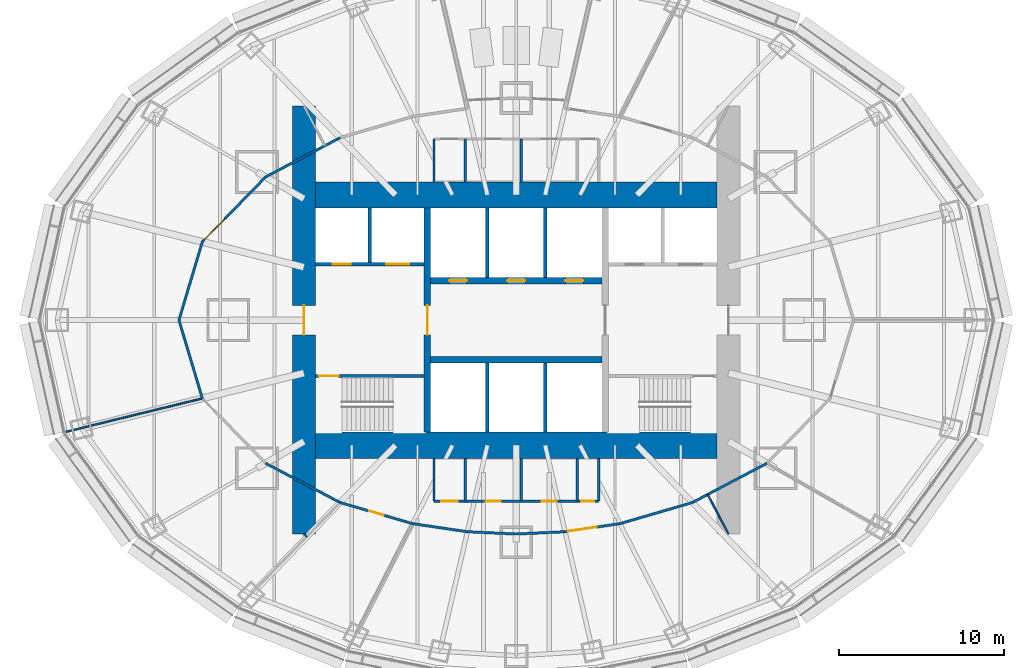
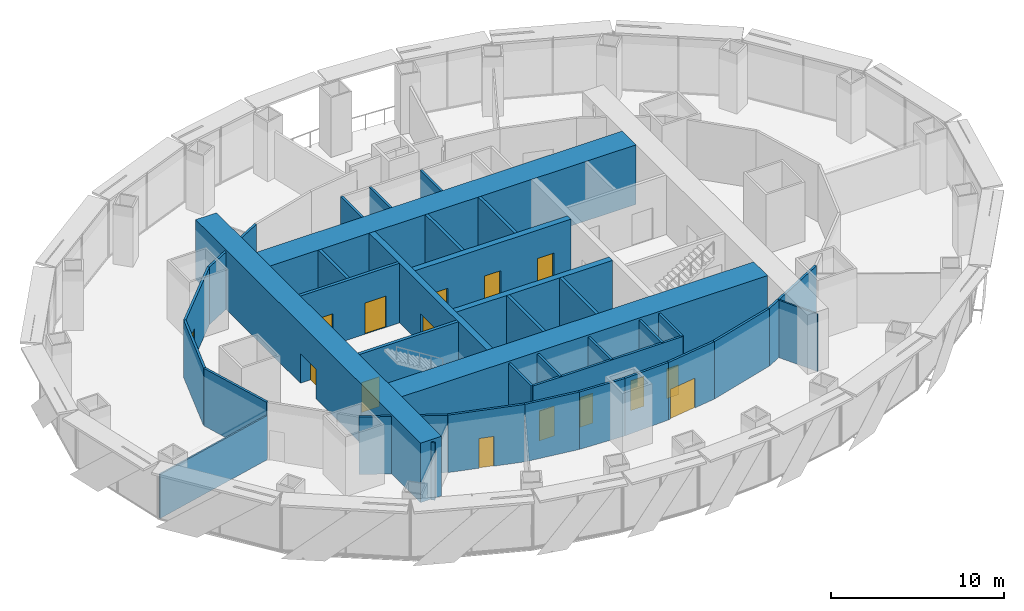
# One storey, part 11 of 17: 37 walls, 15 doors, 15 openings.
"""IFC4 building model written with IfcOpenShell, lengths in metres."""

from ifc_helpers import new_model, si_unit, direction, frame, frame_2d, origin, place, context, subcontext, project, spatial, rectangle, extrude, material, layer, layer_set, type_object, element, fill, save


model = new_model("IFC4")

# Units and contexts
model_context = context("Model", 3, precision=1e-05, world=origin(), true_north=direction((0.0, 1.0)))
body_context = subcontext(model_context, "Body", "Model", "MODEL_VIEW")
ifc_project = project(units=[si_unit("LENGTHUNIT", "METRE"), si_unit("AREAUNIT", "SQUARE_METRE"), si_unit("VOLUMEUNIT", "CUBIC_METRE"), si_unit("PLANEANGLEUNIT", "RADIAN"), si_unit("MASSUNIT", "GRAM", prefix="KILO")], contexts=[model_context])

# Site, building, storey
site_placement = place(None, origin())
site = spatial("IfcSite", under=ifc_project, at=site_placement, CompositionType="ELEMENT")
building_placement = place(site_placement, origin())
building = spatial("IfcBuilding", under=site, at=building_placement, Name="Lantaw Convention Tower", CompositionType="ELEMENT")
storey_placement = place(building_placement, frame((0.0, 0.0, 151.0)))
storey = spatial("IfcBuildingStorey", under=building, at=storey_placement, Name="L35", CompositionType="ELEMENT", Elevation=151.0)

# Wall, opening, door
ifc_material_1 = material(Name="Concrete C60/75", Category="concrete")
ifc_layer_1 = layer(ifc_material_1, 1.39990234375)
ifc_layer_set_1 = layer_set([ifc_layer_1], Name="Core wall 1400")
wall_type_1 = type_object("IfcWallType", Name="Core wall 1400", PredefinedType="SHEAR", material=ifc_layer_set_1)
wall_1_placement = place(storey_placement, frame((-12.89990234375, 13.0, 0.0), z_axis=(0.0, 0.0, 1.0), x_axis=(0.0, -1.0, 0.0)))
wall_1 = element("IfcWall", 1, at=wall_1_placement, inside=storey, type_object=wall_type_1, Name="Core wall W", PredefinedType="SHEAR", context=body_context, shape_type="SweptSolid", body=[
    extrude(rectangle(XDim=26.0, YDim=1.39990234375, at=frame_2d((13.0, 0.0))), origin(), (0.0, 0.0, 1.0), 4.199951171875),
])
opening_1_placement = place(wall_1_placement, frame((12.10009765625, 0.0, 0.0)))
opening_1 = element("IfcOpeningElement", 2, at=opening_1_placement, cuts=wall_1, Name="Opening L35.06", PredefinedType="OPENING", context=body_context, shape_type="SweptSolid", body=[
    extrude(rectangle(XDim=1.800048828125, YDim=2.10009765625, at=frame_2d((0.89990234375, 1.050048828125))), frame((0.0, 0.7099609375, 0.0), z_axis=(0.0, -1.0, 0.0), x_axis=(1.0, 0.0, 0.0)), (0.0, 0.0, 1.0), 1.419921875),
])
ifc_material_2 = material(Name="Steel, fire rated", Category="steel")
door_type_1 = type_object("IfcDoorType", Name="Lobby double door FD90", OperationType="DOUBLE_DOOR_DOUBLE_SWING", PredefinedType="DOOR", material=ifc_material_2)
door_1_placement = place(opening_1_placement, origin())
door_1 = element("IfcDoor", 3, at=door_1_placement, inside=storey, type_object=door_type_1, Name="Firefighting lobby door", OperationType="DOUBLE_DOOR_DOUBLE_SWING", OverallHeight=2.10009765625, OverallWidth=1.800048828125, PredefinedType="DOOR", context=body_context, shape_type="SweptSolid", body=[
    extrude(rectangle(XDim=1.800048828125, YDim=2.10009765625, at=frame_2d((0.89990234375, 1.050048828125))), frame((0.0, 0.02490234375, 0.0), z_axis=(0.0, -1.0, 0.0), x_axis=(1.0, 0.0, 0.0)), (0.0, 0.0, 1.0), 0.050048828125),
])
fill(opening_1, door_1)

# Walls
ifc_layer_2 = layer(ifc_material_1, 1.60009765625)
ifc_layer_set_2 = layer_set([ifc_layer_2], Name="Core wall 1600")
wall_type_2 = type_object("IfcWallType", Name="Core wall 1600", PredefinedType="SHEAR", material=ifc_layer_set_2)
for number, where, z_axis, x_axis, name in (
    (4, (-12.199951171875, -7.60009765625, 0.0), (0.0, 0.0, 1.0), (1.0, 0.0, 0.0), "Core wall S"),
    (5, (12.199951171875, 7.60009765625, 0.0), (0.0, 0.0, 1.0), (-1.0, 0.0, 0.0), "Core wall N"),
):
    element("IfcWall", number, at=place(storey_placement, frame(where, z_axis=z_axis, x_axis=x_axis)), inside=storey, type_object=wall_type_2, Name=name, PredefinedType="SHEAR", context=body_context, shape_type="SweptSolid", body=[
        extrude(rectangle(XDim=24.39990234375, YDim=1.60009765625, at=frame_2d((12.199951171875, 0.0))), origin(), (0.0, 0.0, 1.0), 4.199951171875),
    ])

# Wall, opening, door
ifc_layer_3 = layer(ifc_material_1, 0.199951171875)
ifc_layer_set_3 = layer_set([ifc_layer_3], Name="Core wall 200")
wall_type_3 = type_object("IfcWallType", Name="Core wall 200", PredefinedType="SHEAR", material=ifc_layer_set_3)
wall_2_placement = place(storey_placement, frame((-5.60009765625, -3.39990234375, 0.0), z_axis=(0.0, 0.0, 1.0), x_axis=(-1.0, 0.0, 0.0)))
wall_2 = element("IfcWall", 6, at=wall_2_placement, inside=storey, type_object=wall_type_3, Name="Core wall WS", PredefinedType="SHEAR", context=body_context, shape_type="SweptSolid", body=[
    extrude(rectangle(XDim=6.599853515625, YDim=0.199951171875, at=frame_2d((3.2998046875, 0.0))), origin(), (0.0, 0.0, 1.0), 4.199951171875),
])
opening_2_placement = place(wall_2_placement, frame((5.199951171875, 0.0, 0.0)))
opening_2 = element("IfcOpeningElement", 7, at=opening_2_placement, cuts=wall_2, Name="Opening L35.04", PredefinedType="OPENING", context=body_context, shape_type="SweptSolid", body=[
    extrude(rectangle(XDim=1.199951171875, YDim=2.10009765625, at=frame_2d((0.60009765625, 1.050048828125))), frame((0.0, 0.10986328125, 0.0), z_axis=(0.0, -1.0, 0.0), x_axis=(1.0, 0.0, 0.0)), (0.0, 0.0, 1.0), 0.219970703125),
])
door_type_2 = type_object("IfcDoorType", Name="Stair door FD90", OperationType="SINGLE_SWING_RIGHT", PredefinedType="DOOR", material=ifc_material_2)
door_2_placement = place(opening_2_placement, origin())
door_2 = element("IfcDoor", 8, at=door_2_placement, inside=storey, type_object=door_type_2, Name="Exit stair door", OperationType="SINGLE_SWING_RIGHT", OverallHeight=2.10009765625, OverallWidth=1.199951171875, PredefinedType="DOOR", context=body_context, shape_type="SweptSolid", body=[
    extrude(rectangle(XDim=1.199951171875, YDim=2.10009765625, at=frame_2d((0.60009765625, 1.050048828125))), frame((0.0, 0.02490234375, 0.0), z_axis=(0.0, -1.0, 0.0), x_axis=(1.0, 0.0, 0.0)), (0.0, 0.0, 1.0), 0.050048828125),
])
fill(opening_2, door_2)

ifc_layer_4 = layer(ifc_material_1, 0.39990234375)
ifc_layer_set_4 = layer_set([ifc_layer_4], Name="Core wall 400")
wall_type_4 = type_object("IfcWallType", Name="Core wall 400", PredefinedType="SHEAR", material=ifc_layer_set_4)
wall_3_placement = place(storey_placement, frame((-5.39990234375, 6.800048828125, 0.0), z_axis=(0.0, 0.0, 1.0), x_axis=(0.0, -1.0, 0.0)))
wall_3 = element("IfcWall", 9, at=wall_3_placement, inside=storey, type_object=wall_type_4, Name="Core wall XW", PredefinedType="SHEAR", context=body_context, shape_type="SweptSolid", body=[
    extrude(rectangle(XDim=13.60009765625, YDim=0.39990234375, at=frame_2d((6.800048828125, 0.0))), origin(), (0.0, 0.0, 1.0), 4.199951171875),
])
opening_3_placement = place(wall_3_placement, frame((5.89990234375, 0.0, 0.0)))
opening_3 = element("IfcOpeningElement", 10, at=opening_3_placement, cuts=wall_3, Name="Opening L35.02", PredefinedType="OPENING", context=body_context, shape_type="SweptSolid", body=[
    extrude(rectangle(XDim=1.800048828125, YDim=2.10009765625, at=frame_2d((0.89990234375, 1.050048828125))), frame((0.0, 0.2099609375, 0.0), z_axis=(0.0, -1.0, 0.0), x_axis=(1.0, 0.0, 0.0)), (0.0, 0.0, 1.0), 0.419921875),
])
door_3_placement = place(opening_3_placement, origin())
door_3 = element("IfcDoor", 11, at=door_3_placement, inside=storey, type_object=door_type_1, Name="Lift lobby door", OperationType="DOUBLE_DOOR_DOUBLE_SWING", OverallHeight=2.10009765625, OverallWidth=1.800048828125, PredefinedType="DOOR", context=body_context, shape_type="SweptSolid", body=[
    extrude(rectangle(XDim=1.800048828125, YDim=2.10009765625, at=frame_2d((0.89990234375, 1.050048828125))), frame((0.0, 0.02490234375, 0.0), z_axis=(0.0, -1.0, 0.0), x_axis=(1.0, 0.0, 0.0)), (0.0, 0.0, 1.0), 0.050048828125),
])
fill(opening_3, door_3)

# Wall
wall_4_placement = place(storey_placement, frame((-5.199951171875, -2.39990234375, 0.0), z_axis=(0.0, 0.0, 1.0), x_axis=(1.0, 0.0, 0.0)))
element("IfcWall", 12, at=wall_4_placement, inside=storey, type_object=wall_type_4, Name="Core wall BS", PredefinedType="SHEAR", context=body_context, shape_type="SweptSolid", body=[
    extrude(rectangle(XDim=10.39990234375, YDim=0.39990234375, at=frame_2d((5.199951171875, 0.0))), origin(), (0.0, 0.0, 1.0), 4.199951171875),
])

# Wall, openings, doors
wall_5_placement = place(storey_placement, frame((5.199951171875, 2.39990234375, 0.0), z_axis=(0.0, 0.0, 1.0), x_axis=(-1.0, 0.0, 0.0)))
wall_5 = element("IfcWall", 13, at=wall_5_placement, inside=storey, type_object=wall_type_4, Name="Core wall BN", PredefinedType="SHEAR", context=body_context, shape_type="SweptSolid", body=[
    extrude(rectangle(XDim=10.39990234375, YDim=0.39990234375, at=frame_2d((5.199951171875, 0.0))), origin(), (0.0, 0.0, 1.0), 4.199951171875),
])
opening_4_placement = place(wall_5_placement, frame((8.183349609375, 0.0, 0.0)))
opening_4 = element("IfcOpeningElement", 14, at=opening_4_placement, cuts=wall_5, Name="Opening L35.07", PredefinedType="OPENING", context=body_context, shape_type="SweptSolid", body=[
    extrude(rectangle(XDim=1.10009765625, YDim=2.199951171875, at=frame_2d((0.550048828125, 1.10009765625))), frame((0.0, 0.2099609375, 0.0), z_axis=(0.0, -1.0, 0.0), x_axis=(1.0, 0.0, 0.0)), (0.0, 0.0, 1.0), 0.419921875),
])
opening_5_placement = place(wall_5_placement, frame((4.64990234375, 0.0, 0.0)))
opening_5 = element("IfcOpeningElement", 15, at=opening_5_placement, cuts=wall_5, Name="Opening L35.08", PredefinedType="OPENING", context=body_context, shape_type="SweptSolid", body=[
    extrude(rectangle(XDim=1.10009765625, YDim=2.199951171875, at=frame_2d((0.550048828125, 1.10009765625))), frame((0.0, 0.2099609375, 0.0), z_axis=(0.0, -1.0, 0.0), x_axis=(1.0, 0.0, 0.0)), (0.0, 0.0, 1.0), 0.419921875),
])
opening_6_placement = place(wall_5_placement, frame((1.11669921875, 0.0, 0.0)))
opening_6 = element("IfcOpeningElement", 16, at=opening_6_placement, cuts=wall_5, Name="Opening L35.09", PredefinedType="OPENING", context=body_context, shape_type="SweptSolid", body=[
    extrude(rectangle(XDim=1.10009765625, YDim=2.199951171875, at=frame_2d((0.550048828125, 1.10009765625))), frame((0.0, 0.2099609375, 0.0), z_axis=(0.0, -1.0, 0.0), x_axis=(1.0, 0.0, 0.0)), (0.0, 0.0, 1.0), 0.419921875),
])
ifc_material_3 = material(Name="Stainless steel", Category="steel")
door_type_3 = type_object("IfcDoorType", Name="Lift landing door 1100", OperationType="DOUBLE_DOOR_SLIDING", PredefinedType="DOOR", material=ifc_material_3)
door_4_placement = place(opening_4_placement, origin())
door_4 = element("IfcDoor", 17, at=door_4_placement, inside=storey, type_object=door_type_3, Name="Lift landing door N1", OperationType="DOUBLE_DOOR_SLIDING", OverallHeight=2.199951171875, OverallWidth=1.10009765625, PredefinedType="DOOR", context=body_context, shape_type="SweptSolid", body=[
    extrude(rectangle(XDim=1.10009765625, YDim=2.199951171875, at=frame_2d((0.550048828125, 1.10009765625))), frame((0.0, 0.02490234375, 0.0), z_axis=(0.0, -1.0, 0.0), x_axis=(1.0, 0.0, 0.0)), (0.0, 0.0, 1.0), 0.050048828125),
])
fill(opening_4, door_4)
door_5_placement = place(opening_5_placement, origin())
door_5 = element("IfcDoor", 18, at=door_5_placement, inside=storey, type_object=door_type_3, Name="Lift landing door N2", OperationType="DOUBLE_DOOR_SLIDING", OverallHeight=2.199951171875, OverallWidth=1.10009765625, PredefinedType="DOOR", context=body_context, shape_type="SweptSolid", body=[
    extrude(rectangle(XDim=1.10009765625, YDim=2.199951171875, at=frame_2d((0.550048828125, 1.10009765625))), frame((0.0, 0.02490234375, 0.0), z_axis=(0.0, -1.0, 0.0), x_axis=(1.0, 0.0, 0.0)), (0.0, 0.0, 1.0), 0.050048828125),
])
fill(opening_5, door_5)
door_6_placement = place(opening_6_placement, origin())
door_6 = element("IfcDoor", 19, at=door_6_placement, inside=storey, type_object=door_type_3, Name="Lift landing door N3", OperationType="DOUBLE_DOOR_SLIDING", OverallHeight=2.199951171875, OverallWidth=1.10009765625, PredefinedType="DOOR", context=body_context, shape_type="SweptSolid", body=[
    extrude(rectangle(XDim=1.10009765625, YDim=2.199951171875, at=frame_2d((0.550048828125, 1.10009765625))), frame((0.0, 0.02490234375, 0.0), z_axis=(0.0, -1.0, 0.0), x_axis=(1.0, 0.0, 0.0)), (0.0, 0.0, 1.0), 0.050048828125),
])
fill(opening_6, door_6)

# Wall
ifc_material_4 = material(Name="Gypsum board on steel studs, fire rated", Category="steel")
ifc_layer_5 = layer(ifc_material_4, 0.14990234375)
ifc_layer_set_5 = layer_set([ifc_layer_5], Name="Corridor wall 150 EI 60")
wall_type_5 = type_object("IfcWallType", Name="Corridor wall 150 EI 60", PredefinedType="PARTITIONING", material=ifc_layer_set_5)
wall_6_placement = place(storey_placement, frame((-10.7060546875, 11.08642578125, 0.0), z_axis=(0.0, 0.0, 1.0), x_axis=(-0.884643590306, -0.466267860924, 0.0)))
element("IfcWall", 20, at=wall_6_placement, inside=storey, type_object=wall_type_5, Name="Corridor wall 150", PredefinedType="PARTITIONING", context=body_context, shape_type="SweptSolid", body=[
    extrude(rectangle(XDim=5.113037109375, YDim=0.14990234375, at=frame_2d((2.556640625, 0.0))), origin(), (0.0, 0.0, 1.0), 4.050048828125),
])

# Wall, opening, door
wall_7_placement = place(storey_placement, frame((-15.229248046875, 8.702392578125, 0.0), z_axis=(0.0, 0.0, 1.0), x_axis=(-0.698305033542, -0.715800307439, 0.0)))
wall_7 = element("IfcWall", 21, at=wall_7_placement, inside=storey, type_object=wall_type_5, Name="Corridor wall 150", PredefinedType="PARTITIONING", context=body_context, shape_type="SweptSolid", body=[
    extrude(rectangle(XDim=5.51220703125, YDim=0.14990234375, at=frame_2d((2.756103515625, 0.0))), origin(), (0.0, 0.0, 1.0), 4.050048828125),
])
opening_7_placement = place(wall_7_placement, frame((3.562255859375, 0.0, 0.0)))
opening_7 = element("IfcOpeningElement", 22, at=opening_7_placement, cuts=wall_7, Name="Opening L35.22", PredefinedType="OPENING", context=body_context, shape_type="SweptSolid", body=[
    extrude(rectangle(XDim=1.800048828125, YDim=2.10009765625, at=frame_2d((0.89990234375, 1.050048828125))), frame((0.0, 0.0849609375, 0.0), z_axis=(0.0, -1.0, 0.0), x_axis=(1.0, 0.0, 0.0)), (0.0, 0.0, 1.0), 0.169921875),
])
door_type_4 = type_object("IfcDoorType", Name="Office double door 1800 FD30", OperationType="DOUBLE_DOOR_DOUBLE_SWING", PredefinedType="DOOR", material=ifc_material_2)
door_7_placement = place(opening_7_placement, origin())
door_7 = element("IfcDoor", 23, at=door_7_placement, inside=storey, type_object=door_type_4, Name="Co-working studio door", OperationType="DOUBLE_DOOR_DOUBLE_SWING", OverallHeight=2.10009765625, OverallWidth=1.800048828125, PredefinedType="DOOR", context=body_context, shape_type="SweptSolid", body=[
    extrude(rectangle(XDim=1.800048828125, YDim=2.10009765625, at=frame_2d((0.89990234375, 1.050048828125))), frame((0.0, 0.02490234375, 0.0), z_axis=(0.0, -1.0, 0.0), x_axis=(1.0, 0.0, 0.0)), (0.0, 0.0, 1.0), 0.050048828125),
])
fill(opening_7, door_7)

# Walls
for number, where, z_axis, x_axis, name in (
    (24, (-19.078369140625, 4.7568359375, 0.0), (0.0, 0.0, 1.0), (-0.286346182056, -0.958126225516, 0.0), "Corridor wall 150"),
    (25, (-20.5, 0.0, 0.0), (0.0, 0.0, 1.0), (0.286346182056, -0.958126225516, 0.0), "Corridor wall 150"),
):
    element("IfcWall", number, at=place(storey_placement, frame(where, z_axis=z_axis, x_axis=x_axis)), inside=storey, type_object=wall_type_5, Name=name, PredefinedType="PARTITIONING", context=body_context, shape_type="SweptSolid", body=[
        extrude(rectangle(XDim=4.96484375, YDim=0.14990234375, at=frame_2d((2.482421875, 0.0))), origin(), (0.0, 0.0, 1.0), 4.050048828125),
    ])
wall_8_placement = place(storey_placement, frame((-15.229248046875, -8.702392578125, 0.0), z_axis=(0.0, 0.0, 1.0), x_axis=(0.884643590306, -0.466267860924, 0.0)))
element("IfcWall", 26, at=wall_8_placement, inside=storey, type_object=wall_type_5, Name="Corridor wall 150", PredefinedType="PARTITIONING", context=body_context, shape_type="SweptSolid", body=[
    extrude(rectangle(XDim=5.113037109375, YDim=0.14990234375, at=frame_2d((2.556640625, 0.0))), origin(), (0.0, 0.0, 1.0), 4.050048828125),
])

# Wall, opening, door
wall_9_placement = place(storey_placement, frame((-10.7060546875, -11.08642578125, 0.0), z_axis=(0.0, 0.0, 1.0), x_axis=(0.96001728753, -0.279940721659, 0.0)))
wall_9 = element("IfcWall", 27, at=wall_9_placement, inside=storey, type_object=wall_type_5, Name="Corridor wall 150", PredefinedType="PARTITIONING", context=body_context, shape_type="SweptSolid", body=[
    extrude(rectangle(XDim=4.58642578125, YDim=0.14990234375, at=frame_2d((2.293212890625, 0.0))), origin(), (0.0, 0.0, 1.0), 4.050048828125),
])
opening_8_placement = place(wall_9_placement, frame((1.84326171875, 0.0, 0.0)))
opening_8 = element("IfcOpeningElement", 28, at=opening_8_placement, cuts=wall_9, Name="Opening L35.24", PredefinedType="OPENING", context=body_context, shape_type="SweptSolid", body=[
    extrude(rectangle(XDim=0.89990234375, YDim=2.10009765625, at=frame_2d((0.449951171875, 1.050048828125))), frame((0.0, 0.0849609375, 0.0), z_axis=(0.0, -1.0, 0.0), x_axis=(1.0, 0.0, 0.0)), (0.0, 0.0, 1.0), 0.169921875),
])
door_type_5 = type_object("IfcDoorType", Name="Office door 900 FD30", OperationType="SINGLE_SWING_LEFT", PredefinedType="DOOR", material=ifc_material_2)
door_8_placement = place(opening_8_placement, origin())
door_8 = element("IfcDoor", 29, at=door_8_placement, inside=storey, type_object=door_type_5, Name="Pantry door", OperationType="SINGLE_SWING_LEFT", OverallHeight=2.10009765625, OverallWidth=0.89990234375, PredefinedType="DOOR", context=body_context, shape_type="SweptSolid", body=[
    extrude(rectangle(XDim=0.89990234375, YDim=2.10009765625, at=frame_2d((0.449951171875, 1.050048828125))), frame((0.0, 0.02490234375, 0.0), z_axis=(0.0, -1.0, 0.0), x_axis=(1.0, 0.0, 0.0)), (0.0, 0.0, 1.0), 0.050048828125),
])
fill(opening_8, door_8)

# Walls
wall_10_placement = place(storey_placement, frame((-6.302978515625, -12.370361328125, 0.0), z_axis=(0.0, 0.0, 1.0), x_axis=(0.989262902935, -0.146146874329, 0.0)))
element("IfcWall", 30, at=wall_10_placement, inside=storey, type_object=wall_type_5, Name="Corridor wall 150", PredefinedType="PARTITIONING", context=body_context, shape_type="SweptSolid", body=[
    extrude(rectangle(XDim=3.369384765625, YDim=0.14990234375, at=frame_2d((1.6845703125, 0.0))), origin(), (0.0, 0.0, 1.0), 4.050048828125),
])
for number, where, z_axis, x_axis, name in (
    (31, (-2.9697265625, -12.86279296875, 0.0), (0.0, 0.0, 1.0), (0.998934397568, -0.046152674403, 0.0), "Corridor wall 150"),
    (32, (0.0, -13.0, 0.0), (0.0, 0.0, 1.0), (0.998934397568, 0.046152674403, 0.0), "Corridor wall 150"),
):
    element("IfcWall", number, at=place(storey_placement, frame(where, z_axis=z_axis, x_axis=x_axis)), inside=storey, type_object=wall_type_5, Name=name, PredefinedType="PARTITIONING", context=body_context, shape_type="SweptSolid", body=[
        extrude(rectangle(XDim=2.972900390625, YDim=0.14990234375, at=frame_2d((1.486328125, 0.0))), origin(), (0.0, 0.0, 1.0), 4.050048828125),
    ])

# Wall, opening, door
wall_11_placement = place(storey_placement, frame((2.9697265625, -12.86279296875, 0.0), z_axis=(0.0, 0.0, 1.0), x_axis=(0.989262902935, 0.146146874329, 0.0)))
wall_11 = element("IfcWall", 33, at=wall_11_placement, inside=storey, type_object=wall_type_5, Name="Corridor wall 150", PredefinedType="PARTITIONING", context=body_context, shape_type="SweptSolid", body=[
    extrude(rectangle(XDim=3.369384765625, YDim=0.14990234375, at=frame_2d((1.6845703125, 0.0))), origin(), (0.0, 0.0, 1.0), 4.050048828125),
])
opening_9_placement = place(wall_11_placement, frame((0.14990234375, 0.0, 0.0)))
opening_9 = element("IfcOpeningElement", 34, at=opening_9_placement, cuts=wall_11, Name="Opening L35.25", PredefinedType="OPENING", context=body_context, shape_type="SweptSolid", body=[
    extrude(rectangle(XDim=1.800048828125, YDim=2.10009765625, at=frame_2d((0.89990234375, 1.050048828125))), frame((0.0, 0.0849609375, 0.0), z_axis=(0.0, -1.0, 0.0), x_axis=(1.0, 0.0, 0.0)), (0.0, 0.0, 1.0), 0.169921875),
])
door_9_placement = place(opening_9_placement, origin())
door_9 = element("IfcDoor", 35, at=door_9_placement, inside=storey, type_object=door_type_4, Name="Co-working studio door", OperationType="DOUBLE_DOOR_DOUBLE_SWING", OverallHeight=2.10009765625, OverallWidth=1.800048828125, PredefinedType="DOOR", context=body_context, shape_type="SweptSolid", body=[
    extrude(rectangle(XDim=1.800048828125, YDim=2.10009765625, at=frame_2d((0.89990234375, 1.050048828125))), frame((0.0, 0.02490234375, 0.0), z_axis=(0.0, -1.0, 0.0), x_axis=(1.0, 0.0, 0.0)), (0.0, 0.0, 1.0), 0.050048828125),
])
fill(opening_9, door_9)

# Walls
wall_12_placement = place(storey_placement, frame((6.302978515625, -12.370361328125, 0.0), z_axis=(0.0, 0.0, 1.0), x_axis=(0.96001728753, 0.279940721659, 0.0)))
element("IfcWall", 36, at=wall_12_placement, inside=storey, type_object=wall_type_5, Name="Corridor wall 150", PredefinedType="PARTITIONING", context=body_context, shape_type="SweptSolid", body=[
    extrude(rectangle(XDim=4.58642578125, YDim=0.14990234375, at=frame_2d((2.293212890625, 0.0))), origin(), (0.0, 0.0, 1.0), 4.050048828125),
])
wall_13_placement = place(storey_placement, frame((10.7060546875, -11.08642578125, 0.0), z_axis=(0.0, 0.0, 1.0), x_axis=(0.884643590306, 0.466267860924, 0.0)))
element("IfcWall", 37, at=wall_13_placement, inside=storey, type_object=wall_type_5, Name="Corridor wall 150", PredefinedType="PARTITIONING", context=body_context, shape_type="SweptSolid", body=[
    extrude(rectangle(XDim=5.113037109375, YDim=0.14990234375, at=frame_2d((2.556640625, 0.0))), origin(), (0.0, 0.0, 1.0), 4.050048828125),
])
ifc_material_5 = material(Name="Gypsum board on steel studs, acoustic", Category="steel")
ifc_layer_6 = layer(ifc_material_5, 0.10009765625)
ifc_layer_set_6 = layer_set([ifc_layer_6], Name="Office partition 100")
wall_type_6 = type_object("IfcWallType", Name="Office partition 100", PredefinedType="PARTITIONING", material=ifc_layer_set_6)
wall_14_placement = place(storey_placement, frame((-27.440673828125, -6.808837890625, 0.0), z_axis=(0.0, 0.0, 1.0), x_axis=(0.971187445787, 0.238316900673, 0.0)))
element("IfcWall", 38, at=wall_14_placement, inside=storey, type_object=wall_type_6, Name="Office partition 100", PredefinedType="PARTITIONING", context=body_context, shape_type="SweptSolid", body=[
    extrude(rectangle(XDim=8.6103515625, YDim=0.10009765625, at=frame_2d((4.30517578125, 0.0))), origin(), (0.0, 0.0, 1.0), 3.11279296875),
])
wall_15_placement = place(storey_placement, frame((12.89990234375, -13.0, 0.0), z_axis=(0.0, 0.0, 1.0), x_axis=(-0.466205800243, 0.884676297761, 0.0)))
element("IfcWall", 39, at=wall_15_placement, inside=storey, type_object=wall_type_6, Name="Office partition 100", PredefinedType="PARTITIONING", context=body_context, shape_type="SweptSolid", body=[
    extrude(rectangle(XDim=2.7158203125, YDim=0.10009765625, at=frame_2d((1.35791015625, 0.0))), origin(), (0.0, 0.0, 1.0), 4.050048828125),
])
wall_16_placement = place(storey_placement, frame((-12.89990234375, -13.0, 0.0), z_axis=(0.0, 0.0, 1.0), x_axis=(0.715424812506, -0.698689729172, 0.0)))
element("IfcWall", 40, at=wall_16_placement, inside=storey, type_object=wall_type_6, Name="Office partition 100", PredefinedType="PARTITIONING", context=body_context, shape_type="SweptSolid", body=[
    extrude(rectangle(XDim=0.2333984375, YDim=0.10009765625, at=frame_2d((0.11669921875, 0.0))), origin(), (0.0, 0.0, 1.0), 4.050048828125),
])
ifc_material_6 = material(Name="Concrete blockwork, fire rated", Category="masonry")
ifc_layer_7 = layer(ifc_material_6, 0.199951171875)
ifc_layer_set_7 = layer_set([ifc_layer_7], Name="Shaft wall 200")
wall_type_7 = type_object("IfcWallType", Name="Shaft wall 200", PredefinedType="SOLIDWALL", material=ifc_layer_set_7)
for number, where, z_axis, x_axis, name in (
    (41, (-1.7666015625, 2.60009765625, 0.0), (0.0, 0.0, 1.0), (0.0, 1.0, 0.0), "Shaft wall DN1"),
    (42, (1.7666015625, 2.60009765625, 0.0), (0.0, 0.0, 1.0), (0.0, 1.0, 0.0), "Shaft wall DN2"),
):
    element("IfcWall", number, at=place(storey_placement, frame(where, z_axis=z_axis, x_axis=x_axis)), inside=storey, type_object=wall_type_7, Name=name, PredefinedType="SOLIDWALL", context=body_context, shape_type="SweptSolid", body=[
        extrude(rectangle(XDim=4.199951171875, YDim=0.199951171875, at=frame_2d((2.10009765625, 0.0))), origin(), (0.0, 0.0, 1.0), 4.199951171875),
    ])

# Wall, openings, doors
wall_17_placement = place(storey_placement, frame((-12.199951171875, 3.39990234375, 0.0), z_axis=(0.0, 0.0, 1.0), x_axis=(1.0, 0.0, 0.0)))
wall_17 = element("IfcWall", 43, at=wall_17_placement, inside=storey, type_object=wall_type_7, Name="Shaft wall WN", PredefinedType="SOLIDWALL", context=body_context, shape_type="SweptSolid", body=[
    extrude(rectangle(XDim=6.599853515625, YDim=0.199951171875, at=frame_2d((3.2998046875, 0.0))), origin(), (0.0, 0.0, 1.0), 4.199951171875),
])
opening_10_placement = place(wall_17_placement, frame((1.050048828125, 0.0, 0.0)))
opening_10 = element("IfcOpeningElement", 44, at=opening_10_placement, cuts=wall_17, Name="Opening L35.10", PredefinedType="OPENING", context=body_context, shape_type="SweptSolid", body=[
    extrude(rectangle(XDim=1.10009765625, YDim=2.199951171875, at=frame_2d((0.550048828125, 1.10009765625))), frame((0.0, 0.10986328125, 0.0), z_axis=(0.0, -1.0, 0.0), x_axis=(1.0, 0.0, 0.0)), (0.0, 0.0, 1.0), 0.219970703125),
])
opening_11_placement = place(wall_17_placement, frame((4.300048828125, 0.0, 0.0)))
opening_11 = element("IfcOpeningElement", 45, at=opening_11_placement, cuts=wall_17, Name="Opening L35.11", PredefinedType="OPENING", context=body_context, shape_type="SweptSolid", body=[
    extrude(rectangle(XDim=1.39990234375, YDim=2.199951171875, at=frame_2d((0.699951171875, 1.10009765625))), frame((0.0, 0.10986328125, 0.0), z_axis=(0.0, -1.0, 0.0), x_axis=(1.0, 0.0, 0.0)), (0.0, 0.0, 1.0), 0.219970703125),
])
door_10_placement = place(opening_10_placement, origin())
door_10 = element("IfcDoor", 46, at=door_10_placement, inside=storey, type_object=door_type_3, Name="Lift landing door FF1", OperationType="DOUBLE_DOOR_SLIDING", OverallHeight=2.199951171875, OverallWidth=1.10009765625, PredefinedType="DOOR", context=body_context, shape_type="SweptSolid", body=[
    extrude(rectangle(XDim=1.10009765625, YDim=2.199951171875, at=frame_2d((0.550048828125, 1.10009765625))), frame((0.0, 0.02490234375, 0.0), z_axis=(0.0, -1.0, 0.0), x_axis=(1.0, 0.0, 0.0)), (0.0, 0.0, 1.0), 0.050048828125),
])
fill(opening_10, door_10)
door_type_6 = type_object("IfcDoorType", Name="Lift landing door 1400", OperationType="DOUBLE_DOOR_SLIDING", PredefinedType="DOOR", material=ifc_material_3)
door_11_placement = place(opening_11_placement, origin())
door_11 = element("IfcDoor", 47, at=door_11_placement, inside=storey, type_object=door_type_6, Name="Lift landing door SV1", OperationType="DOUBLE_DOOR_SLIDING", OverallHeight=2.199951171875, OverallWidth=1.39990234375, PredefinedType="DOOR", context=body_context, shape_type="SweptSolid", body=[
    extrude(rectangle(XDim=1.39990234375, YDim=2.199951171875, at=frame_2d((0.699951171875, 1.10009765625))), frame((0.0, 0.02490234375, 0.0), z_axis=(0.0, -1.0, 0.0), x_axis=(1.0, 0.0, 0.0)), (0.0, 0.0, 1.0), 0.050048828125),
])
fill(opening_11, door_11)

# Walls
wall_18_placement = place(storey_placement, frame((-8.89990234375, 3.5, 0.0), z_axis=(0.0, 0.0, 1.0), x_axis=(0.0, 1.0, 0.0)))
element("IfcWall", 48, at=wall_18_placement, inside=storey, type_object=wall_type_7, Name="Shaft wall WD", PredefinedType="SOLIDWALL", context=body_context, shape_type="SweptSolid", body=[
    extrude(rectangle(XDim=3.300048828125, YDim=0.199951171875, at=frame_2d((1.64990234375, 0.0))), origin(), (0.0, 0.0, 1.0), 4.199951171875),
])
ifc_layer_8 = layer(ifc_material_6, 0.199951171875)
ifc_layer_set_8 = layer_set([ifc_layer_8], Name="Shaft wall 200 load-bearing")
wall_type_8 = type_object("IfcWallType", Name="Shaft wall 200 load-bearing", PredefinedType="SOLIDWALL", material=ifc_layer_set_8)
for number, where, z_axis, x_axis, name in (
    (49, (-1.7666015625, -2.60009765625, 0.0), (0.0, 0.0, 1.0), (0.0, -1.0, 0.0), "Shaft wall DS1"),
    (50, (1.7666015625, -2.60009765625, 0.0), (0.0, 0.0, 1.0), (0.0, -1.0, 0.0), "Shaft wall DS2"),
):
    element("IfcWall", number, at=place(storey_placement, frame(where, z_axis=z_axis, x_axis=x_axis)), inside=storey, type_object=wall_type_8, Name=name, PredefinedType="SOLIDWALL", context=body_context, shape_type="SweptSolid", body=[
        extrude(rectangle(XDim=4.199951171875, YDim=0.199951171875, at=frame_2d((2.10009765625, 0.0))), origin(), (0.0, 0.0, 1.0), 4.199951171875),
    ])
ifc_material_7 = material(Name="Concrete blockwork", Category="masonry")
ifc_layer_9 = layer(ifc_material_7, 0.14990234375)
ifc_layer_set_9 = layer_set([ifc_layer_9], Name="WC wall 150")
wall_type_9 = type_object("IfcWallType", Name="WC wall 150", PredefinedType="SOLIDWALL", material=ifc_layer_set_9)
for number, where, z_axis, x_axis, name in (
    (51, (-5.0, 8.39990234375, 0.0), (0.0, 0.0, 1.0), (0.0, 1.0, 0.0), "WC wall 150"),
    (52, (-3.10009765625, 8.39990234375, 0.0), (0.0, 0.0, 1.0), (0.0, 1.0, 0.0), "WC wall 150"),
    (53, (0.300048828125, 8.39990234375, 0.0), (0.0, 0.0, 1.0), (0.0, 1.0, 0.0), "WC wall 150"),
):
    element("IfcWall", number, at=place(storey_placement, frame(where, z_axis=z_axis, x_axis=x_axis)), inside=storey, type_object=wall_type_9, Name=name, PredefinedType="SOLIDWALL", context=body_context, shape_type="SweptSolid", body=[
        extrude(rectangle(XDim=2.607177734375, YDim=0.14990234375, at=frame_2d((1.3037109375, 0.0))), origin(), (0.0, 0.0, 1.0), 4.050048828125),
    ])

# Wall, openings, doors
wall_19_placement = place(storey_placement, frame((-5.0, -11.007080078125, 0.0), z_axis=(0.0, 0.0, 1.0), x_axis=(1.0, 0.0, 0.0)))
wall_19 = element("IfcWall", 54, at=wall_19_placement, inside=storey, type_object=wall_type_9, Name="WC wall 150", PredefinedType="SOLIDWALL", context=body_context, shape_type="SweptSolid", body=[
    extrude(rectangle(XDim=10.0, YDim=0.14990234375, at=frame_2d((5.0, 0.0))), origin(), (0.0, 0.0, 1.0), 4.050048828125),
])
opening_12_placement = place(wall_19_placement, frame((0.449951171875, 0.0, 0.0)))
opening_12 = element("IfcOpeningElement", 55, at=opening_12_placement, cuts=wall_19, Name="Opening L35.18", PredefinedType="OPENING", context=body_context, shape_type="SweptSolid", body=[
    extrude(rectangle(XDim=1.0, YDim=2.10009765625, at=frame_2d((0.5, 1.050048828125))), frame((0.0, 0.0849609375, 0.0), z_axis=(0.0, -1.0, 0.0), x_axis=(1.0, 0.0, 0.0)), (0.0, 0.0, 1.0), 0.169921875),
])
opening_13_placement = place(wall_19_placement, frame((3.14990234375, 0.0, 0.0)))
opening_13 = element("IfcOpeningElement", 56, at=opening_13_placement, cuts=wall_19, Name="Opening L35.19", PredefinedType="OPENING", context=body_context, shape_type="SweptSolid", body=[
    extrude(rectangle(XDim=0.89990234375, YDim=2.10009765625, at=frame_2d((0.449951171875, 1.050048828125))), frame((0.0, 0.0849609375, 0.0), z_axis=(0.0, -1.0, 0.0), x_axis=(1.0, 0.0, 0.0)), (0.0, 0.0, 1.0), 0.169921875),
])
opening_14_placement = place(wall_19_placement, frame((6.550048828125, 0.0, 0.0)))
opening_14 = element("IfcOpeningElement", 57, at=opening_14_placement, cuts=wall_19, Name="Opening L35.20", PredefinedType="OPENING", context=body_context, shape_type="SweptSolid", body=[
    extrude(rectangle(XDim=0.89990234375, YDim=2.10009765625, at=frame_2d((0.449951171875, 1.050048828125))), frame((0.0, 0.0849609375, 0.0), z_axis=(0.0, -1.0, 0.0), x_axis=(1.0, 0.0, 0.0)), (0.0, 0.0, 1.0), 0.169921875),
])
opening_15_placement = place(wall_19_placement, frame((8.949951171875, 0.0, 0.0)))
opening_15 = element("IfcOpeningElement", 58, at=opening_15_placement, cuts=wall_19, Name="Opening L35.21", PredefinedType="OPENING", context=body_context, shape_type="SweptSolid", body=[
    extrude(rectangle(XDim=0.800048828125, YDim=2.10009765625, at=frame_2d((0.39990234375, 1.050048828125))), frame((0.0, 0.0849609375, 0.0), z_axis=(0.0, -1.0, 0.0), x_axis=(1.0, 0.0, 0.0)), (0.0, 0.0, 1.0), 0.169921875),
])
ifc_material_8 = material(Name="Timber", Category="wood")
door_type_7 = type_object("IfcDoorType", Name="Accessible WC door 1000", OperationType="SINGLE_SWING_LEFT", PredefinedType="DOOR", material=ifc_material_8)
door_12_placement = place(opening_12_placement, origin())
door_12 = element("IfcDoor", 59, at=door_12_placement, inside=storey, type_object=door_type_7, Name="Accessible WC door", OperationType="SINGLE_SWING_LEFT", OverallHeight=2.10009765625, OverallWidth=1.0, PredefinedType="DOOR", context=body_context, shape_type="SweptSolid", body=[
    extrude(rectangle(XDim=1.0, YDim=2.10009765625, at=frame_2d((0.5, 1.050048828125))), frame((0.0, 0.02490234375, 0.0), z_axis=(0.0, -1.0, 0.0), x_axis=(1.0, 0.0, 0.0)), (0.0, 0.0, 1.0), 0.050048828125),
])
fill(opening_12, door_12)
door_type_8 = type_object("IfcDoorType", Name="WC door 800", OperationType="SINGLE_SWING_LEFT", PredefinedType="DOOR", material=ifc_material_8)
door_13_placement = place(opening_15_placement, origin())
door_13 = element("IfcDoor", 60, at=door_13_placement, inside=storey, type_object=door_type_8, Name="Pantry door", OperationType="SINGLE_SWING_LEFT", OverallHeight=2.10009765625, OverallWidth=0.800048828125, PredefinedType="DOOR", context=body_context, shape_type="SweptSolid", body=[
    extrude(rectangle(XDim=0.800048828125, YDim=2.10009765625, at=frame_2d((0.39990234375, 1.050048828125))), frame((0.0, 0.02490234375, 0.0), z_axis=(0.0, -1.0, 0.0), x_axis=(1.0, 0.0, 0.0)), (0.0, 0.0, 1.0), 0.050048828125),
])
fill(opening_15, door_13)
door_type_9 = type_object("IfcDoorType", Name="WC door 900", OperationType="SINGLE_SWING_LEFT", PredefinedType="DOOR", material=ifc_material_8)
door_14_placement = place(opening_13_placement, origin())
door_14 = element("IfcDoor", 61, at=door_14_placement, inside=storey, type_object=door_type_9, Name="Male WC door", OperationType="SINGLE_SWING_LEFT", OverallHeight=2.10009765625, OverallWidth=0.89990234375, PredefinedType="DOOR", context=body_context, shape_type="SweptSolid", body=[
    extrude(rectangle(XDim=0.89990234375, YDim=2.10009765625, at=frame_2d((0.449951171875, 1.050048828125))), frame((0.0, 0.02490234375, 0.0), z_axis=(0.0, -1.0, 0.0), x_axis=(1.0, 0.0, 0.0)), (0.0, 0.0, 1.0), 0.050048828125),
])
fill(opening_13, door_14)
door_15_placement = place(opening_14_placement, origin())
door_15 = element("IfcDoor", 62, at=door_15_placement, inside=storey, type_object=door_type_9, Name="Female WC door", OperationType="SINGLE_SWING_LEFT", OverallHeight=2.10009765625, OverallWidth=0.89990234375, PredefinedType="DOOR", context=body_context, shape_type="SweptSolid", body=[
    extrude(rectangle(XDim=0.89990234375, YDim=2.10009765625, at=frame_2d((0.449951171875, 1.050048828125))), frame((0.0, 0.02490234375, 0.0), z_axis=(0.0, -1.0, 0.0), x_axis=(1.0, 0.0, 0.0)), (0.0, 0.0, 1.0), 0.050048828125),
])
fill(opening_14, door_15)

# Walls
for number, where, z_axis, x_axis, name in (
    (63, (-5.0, -8.39990234375, 0.0), (0.0, 0.0, 1.0), (0.0, -1.0, 0.0), "WC wall 150"),
    (64, (5.0, -8.39990234375, 0.0), (0.0, 0.0, 1.0), (0.0, -1.0, 0.0), "WC wall 150"),
    (65, (-3.10009765625, -8.39990234375, 0.0), (0.0, 0.0, 1.0), (0.0, -1.0, 0.0), "WC wall 150"),
    (66, (0.300048828125, -8.39990234375, 0.0), (0.0, 0.0, 1.0), (0.0, -1.0, 0.0), "WC wall 150"),
    (67, (3.699951171875, -8.39990234375, 0.0), (0.0, 0.0, 1.0), (0.0, -1.0, 0.0), "WC wall 150"),
):
    element("IfcWall", number, at=place(storey_placement, frame(where, z_axis=z_axis, x_axis=x_axis)), inside=storey, type_object=wall_type_9, Name=name, PredefinedType="SOLIDWALL", context=body_context, shape_type="SweptSolid", body=[
        extrude(rectangle(XDim=2.607177734375, YDim=0.14990234375, at=frame_2d((1.3037109375, 0.0))), origin(), (0.0, 0.0, 1.0), 4.050048828125),
    ])

save(model, "model.ifc")
